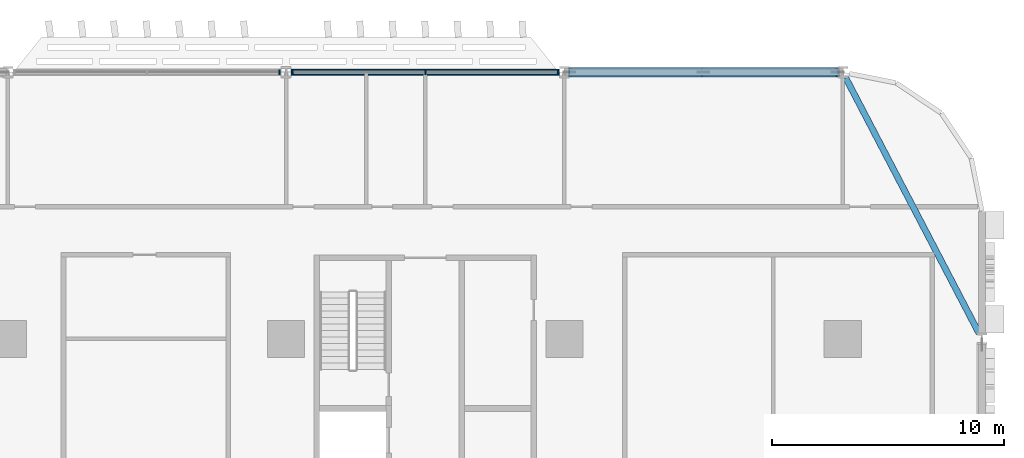
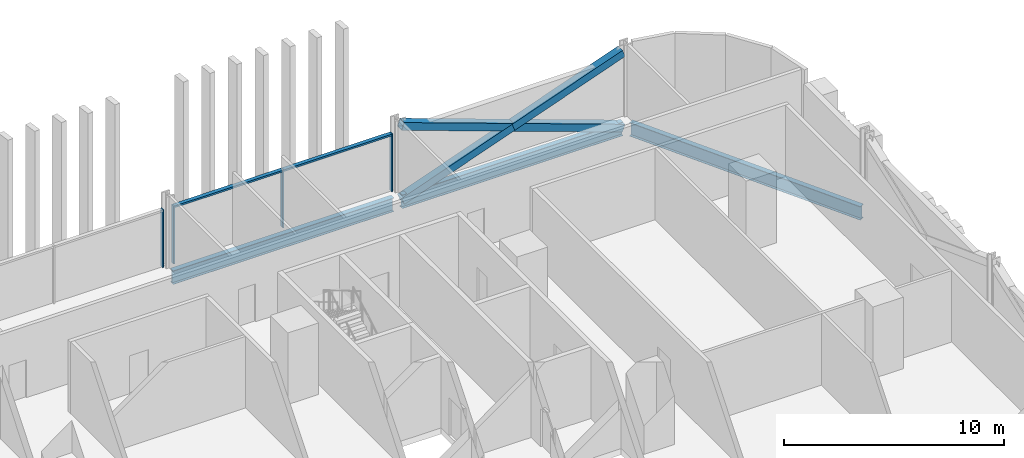
# One storey, part 8 of 31: 9 members, 3 beams, 2 elements without a shape of their own.
"""IFC4 building model written with IfcOpenShell, lengths in metres."""

from ifc_helpers import new_model, si_unit, direction, frame, origin, origin_2d, place, context, subcontext, project, spatial, rectangle, hollow_rectangle, i_section, extrude, material, material_profile, profile_set, type_object, element, aggregate, save


model = new_model("IFC4")

# Units and contexts
model_context = context("Model", 3, precision=1e-05, world=origin(), true_north=direction((0.0, 1.0)))
body_context = subcontext(model_context, "Body", "Model", "MODEL_VIEW")
ifc_project = project(units=[si_unit("LENGTHUNIT", "METRE"), si_unit("AREAUNIT", "SQUARE_METRE"), si_unit("VOLUMEUNIT", "CUBIC_METRE"), si_unit("PLANEANGLEUNIT", "RADIAN"), si_unit("MASSUNIT", "GRAM", prefix="KILO")], contexts=[model_context])

# Site, building, storey
site_placement = place(None, origin())
site = spatial("IfcSite", under=ifc_project, at=site_placement, CompositionType="ELEMENT")
building_placement = place(site_placement, origin())
building = spatial("IfcBuilding", under=site, at=building_placement, Name="Mahtab Terrace Research Tower", CompositionType="ELEMENT")
storey_placement = place(building_placement, frame((0.0, 0.0, 11.5)))
storey = spatial("IfcBuildingStorey", under=building, at=storey_placement, Name="L02", CompositionType="ELEMENT", Elevation=11.5)

# Members
ifc_material_1 = material(Name="Steel ASTM A500 Gr C", Category="steel")
ifc_material_profile_1 = material_profile(ifc_material_1, hollow_rectangle(XDim=0.406494140625, YDim=0.406494140625, WallThickness=0.01904296875, at=origin_2d()), Name="HSS16X16X3/4")
ifc_profile_set_1 = profile_set([ifc_material_profile_1], Name="Steel ASTM A500 Gr C")
member_type_1 = type_object("IfcMemberType", Name="HSS 16x16x3/4 brace XB161634", PredefinedType="BRACE", material=ifc_profile_set_1)
member_1_placement = place(storey_placement, frame((41.7841796875, 23.0, -0.64111328125), z_axis=(-0.941388097231, 0.0, 0.337325436917), x_axis=(0.0, -1.0, 0.0)))
element("IfcMember", 1, at=member_1_placement, inside=storey, type_object=member_type_1, Name="Exoskeleton brace L02 01 a", PredefinedType="BRACE", context=body_context, shape_type="SweptSolid", body=[
    extrude(hollow_rectangle(XDim=0.406494140625, YDim=0.406494140625, WallThickness=0.01904296875, at=origin_2d()), origin(), (0.0, 0.0, 1.0), 12.28857421875),
])
for number, where, z_axis, x_axis, name in (
    (2, (30.2158203125, 23.0, -0.64111328125), (0.941381788192, 0.0, 0.337343043295), (0.0, 1.0, 0.0), "Exoskeleton brace L02 01 b1"),
    (3, (36.0, 23.0, 1.431640625), (0.941394406025, 0.0, 0.337307830185), (0.0, 1.0, 0.0), "Exoskeleton brace L02 01 b2"),
):
    element("IfcMember", number, at=place(storey_placement, frame(where, z_axis=z_axis, x_axis=x_axis)), inside=storey, type_object=member_type_1, Name=name, PredefinedType="BRACE", context=body_context, shape_type="SweptSolid", body=[
        extrude(hollow_rectangle(XDim=0.406494140625, YDim=0.406494140625, WallThickness=0.01904296875, at=origin_2d()), origin(), (0.0, 0.0, 1.0), 6.144287109375),
    ])

# Curtain wall, members
ifc_material_2 = material(Name="Laboratory ribbon curtain wall")
curtain_wall_type = type_object("IfcCurtainWallType", Name="Laboratory ribbon curtain wall", PredefinedType="NOTDEFINED", material=ifc_material_2)
curtain_wall_1_placement = place(storey_placement, origin())
curtain_wall_1 = element("IfcCurtainWall", 4, at=curtain_wall_1_placement, inside=storey, type_object=curtain_wall_type, Name="EN.L02.3.4", PredefinedType="NOTDEFINED")
ifc_material_3 = material(Name="Natural anodised aluminium", Category="aluminium")
ifc_material_profile_2 = material_profile(ifc_material_3, rectangle(XDim=0.199951171875, YDim=0.06494140625, at=origin_2d()), Name="MULLION 65x200")
ifc_profile_set_2 = profile_set([ifc_material_profile_2], Name="Natural anodised aluminium")
member_type_2 = type_object("IfcMemberType", Name="Laboratory ribbon curtain wall mullion", PredefinedType="MULLION", material=ifc_profile_set_2)
member_2_placement = place(storey_placement, frame((29.718505859375, 23.0, 0.0), z_axis=(0.0, 0.0, 1.0), x_axis=(0.0, -1.0, 0.0)))
member_2 = element("IfcMember", 5, at=member_2_placement, type_object=member_type_2, Name="CWL-1 mullion 1", PredefinedType="MULLION", context=body_context, shape_type="SweptSolid", body=[
    extrude(rectangle(XDim=0.199951171875, YDim=0.06494140625, at=origin_2d()), origin(), (0.0, 0.0, 1.0), 3.203125),
])
member_3_placement = place(storey_placement, frame((24.0, 23.0, 0.0), z_axis=(0.0, 0.0, 1.0), x_axis=(0.0, -1.0, 0.0)))
member_3 = element("IfcMember", 6, at=member_3_placement, type_object=member_type_2, Name="CWL-1 mullion 2", PredefinedType="MULLION", context=body_context, shape_type="SweptSolid", body=[
    extrude(rectangle(XDim=0.199951171875, YDim=0.06494140625, at=origin_2d()), origin(), (0.0, 0.0, 1.0), 3.203125),
])
member_4_placement = place(storey_placement, frame((18.281494140625, 23.0, 0.0), z_axis=(0.0, 0.0, 1.0), x_axis=(0.0, -1.0, 0.0)))
member_4 = element("IfcMember", 7, at=member_4_placement, type_object=member_type_2, Name="CWL-1 mullion 3", PredefinedType="MULLION", context=body_context, shape_type="SweptSolid", body=[
    extrude(rectangle(XDim=0.199951171875, YDim=0.06494140625, at=origin_2d()), origin(), (0.0, 0.0, 1.0), 3.203125),
])

# Curtain wall, member
curtain_wall_2_placement = place(storey_placement, origin())
curtain_wall_2 = element("IfcCurtainWall", 8, at=curtain_wall_2_placement, inside=storey, type_object=curtain_wall_type, Name="EN.L02.3.5", PredefinedType="NOTDEFINED")
member_5_placement = place(storey_placement, frame((17.718505859375, 23.0, 0.0), z_axis=(0.0, 0.0, 1.0), x_axis=(0.0, -1.0, 0.0)))
member_5 = element("IfcMember", 9, at=member_5_placement, type_object=member_type_2, Name="CWL-1 mullion 1", PredefinedType="MULLION", context=body_context, shape_type="SweptSolid", body=[
    extrude(rectangle(XDim=0.199951171875, YDim=0.06494140625, at=origin_2d()), origin(), (0.0, 0.0, 1.0), 3.203125),
])
aggregate(curtain_wall_2, [member_5])

# Member
ifc_material_profile_3 = material_profile(ifc_material_3, rectangle(XDim=0.199951171875, YDim=0.10009765625, at=origin_2d()), Name="TRANSOM 100x200")
ifc_profile_set_3 = profile_set([ifc_material_profile_3], Name="Natural anodised aluminium")
member_type_3 = type_object("IfcMemberType", Name="Laboratory ribbon curtain wall transom", PredefinedType="USERDEFINED", material=ifc_profile_set_3)
member_6_placement = place(storey_placement, frame((29.68603515625, 23.0, 3.153076171875), z_axis=(-1.0, 0.0, 0.0), x_axis=(0.0, -1.0, 0.0)))
member_6 = element("IfcMember", 10, at=member_6_placement, type_object=member_type_3, Name="CWL-1 transom 1", ObjectType="TRANSOM", PredefinedType="USERDEFINED", context=body_context, shape_type="SweptSolid", body=[
    extrude(rectangle(XDim=0.199951171875, YDim=0.10009765625, at=origin_2d()), origin(), (0.0, 0.0, 1.0), 5.653564453125),
])

member_7_placement = place(storey_placement, frame((23.967529296875, 23.0, 3.153076171875), z_axis=(-1.0, 0.0, 0.0), x_axis=(0.0, -1.0, 0.0)))
member_7 = element("IfcMember", 11, at=member_7_placement, type_object=member_type_3, Name="CWL-1 transom 2", ObjectType="TRANSOM", PredefinedType="USERDEFINED", context=body_context, shape_type="SweptSolid", body=[
    extrude(rectangle(XDim=0.199951171875, YDim=0.10009765625, at=origin_2d()), origin(), (0.0, 0.0, 1.0), 5.653564453125),
])

aggregate(curtain_wall_1, [member_2, member_3, member_4, member_6, member_7])

# Beams
ifc_material_4 = material(Name="Steel ASTM A992 Gr 50", Category="steel")
ifc_material_profile_4 = material_profile(ifc_material_4, i_section(OverallWidth=0.2666015625, OverallDepth=0.7568359375, WebThickness=0.013916015625, FlangeThickness=0.019287109375, at=origin_2d()), Name="W30X108")
ifc_profile_set_4 = profile_set([ifc_material_profile_4], Name="Steel ASTM A992 Gr 50")
beam_type = type_object("IfcBeamType", Name="W30x108 beam BS30108", PredefinedType="BEAM", material=ifc_profile_set_4)
for number, where, z_axis, x_axis, name in (
    (12, (41.7841796875, 23.0, -0.718505859375), (-1.0, 0.0, 0.0), (0.0, -1.0, 0.0), "Spandrel beam L02 01"),
    (13, (29.7841796875, 23.0, -0.718505859375), (-1.0, 0.0, 0.0), (0.0, -1.0, 0.0), "Spandrel beam L02 02"),
):
    element("IfcBeam", number, at=place(storey_placement, frame(where, z_axis=z_axis, x_axis=x_axis)), inside=storey, type_object=beam_type, Name=name, PredefinedType="BEAM", context=body_context, shape_type="SweptSolid", body=[
        extrude(i_section(OverallWidth=0.2666015625, OverallDepth=0.7568359375, WebThickness=0.013916015625, FlangeThickness=0.019287109375, at=origin_2d()), origin(), (0.0, 0.0, 1.0), 11.568359375),
    ])
beam_placement = place(storey_placement, frame((47.8701171875, 11.748779296875, -0.718505859375), z_axis=(-0.462555249274, 0.88659045865, 0.0), x_axis=(-0.88659045865, -0.462555249274, 0.0)))
element("IfcBeam", 14, at=beam_placement, inside=storey, type_object=beam_type, Name="Spandrel beam L02 22", PredefinedType="BEAM", context=body_context, shape_type="SweptSolid", body=[
    extrude(i_section(OverallWidth=0.2666015625, OverallDepth=0.7568359375, WebThickness=0.013916015625, FlangeThickness=0.019287109375, at=origin_2d()), origin(), (0.0, 0.0, 1.0), 12.409912109375),
])

save(model, "model.ifc")
